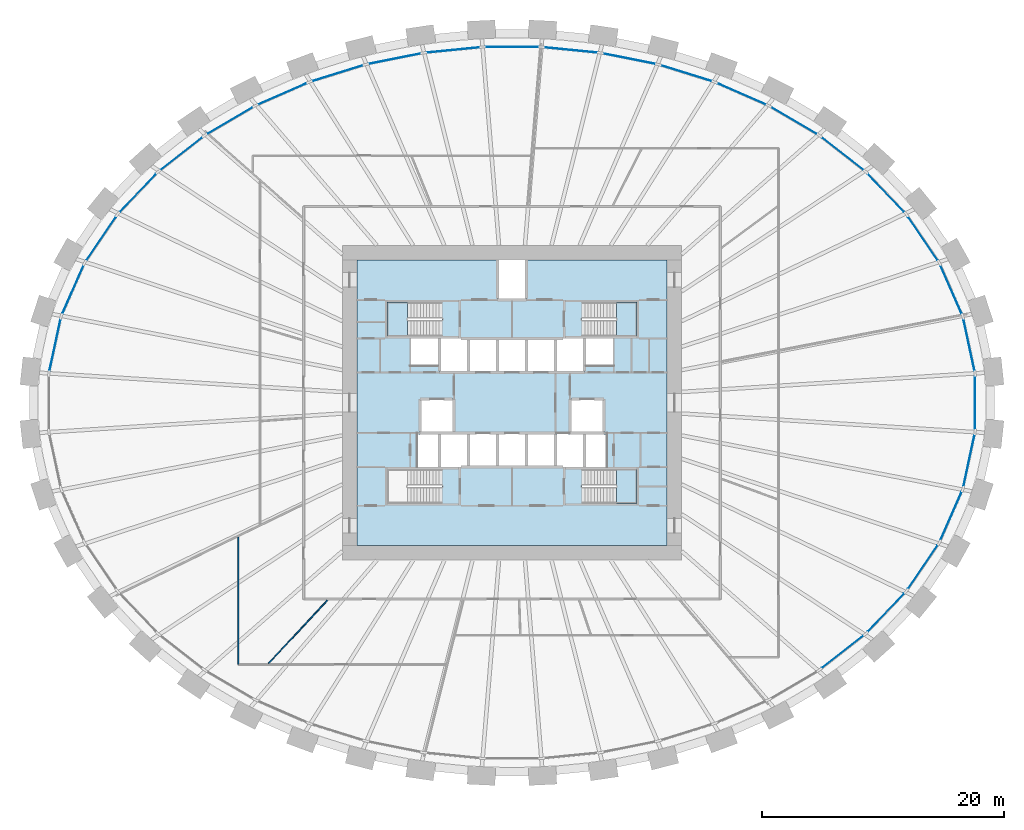
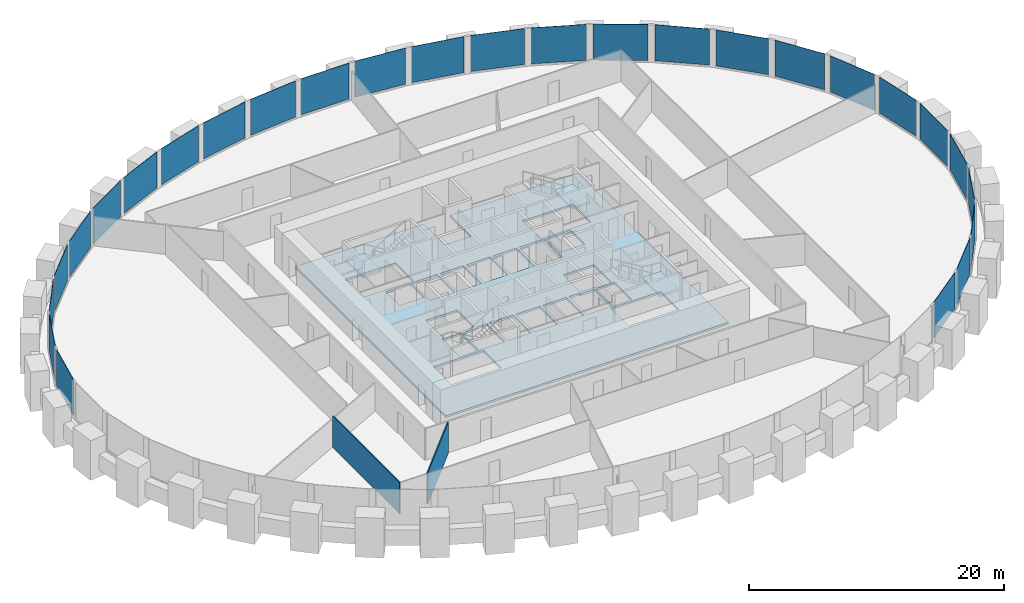
# One storey, part 5 of 10: 27 plates, 4 slabs, 2 walls, 4 elements without a shape of their own.
"""IFC4 building model written with IfcOpenShell, lengths in metres."""

from ifc_helpers import new_model, si_unit, direction, frame, frame_2d, origin, origin_2d, place, context, subcontext, project, spatial, polyline, rectangle, outline, extrude, source, transform, mapped, material, layer, layer_set, type_object, element, aggregate, save


model = new_model("IFC4")

# Units and contexts
model_context = context("Model", 3, precision=1e-05, world=origin(), true_north=direction((0.0, 1.0)))
body_context = subcontext(model_context, "Body", "Model", "MODEL_VIEW")
ifc_project = project(units=[si_unit("LENGTHUNIT", "METRE"), si_unit("AREAUNIT", "SQUARE_METRE"), si_unit("VOLUMEUNIT", "CUBIC_METRE"), si_unit("PLANEANGLEUNIT", "RADIAN"), si_unit("MASSUNIT", "GRAM", prefix="KILO")], contexts=[model_context])

# Site, building, storey
site_placement = place(None, origin())
site = spatial("IfcSite", under=ifc_project, at=site_placement, CompositionType="ELEMENT")
building_placement = place(site_placement, origin())
building = spatial("IfcBuilding", under=site, at=building_placement, Name="Embergate Tower", CompositionType="ELEMENT")
storey_placement = place(building_placement, frame((0.0, 0.0, 121.10009765625)))
storey = spatial("IfcBuildingStorey", under=building, at=storey_placement, Name="L26", CompositionType="ELEMENT", Elevation=121.10009765625)

# Curtain wall, plates
ifc_material_1 = material(Name="Aluminium and glass", Category="aluminium")
curtain_wall_type = type_object("IfcCurtainWallType", Name="Recessed office glazing", PredefinedType="NOTDEFINED", material=ifc_material_1)
curtain_wall_placement = place(storey_placement, origin())
curtain_wall = element("IfcCurtainWall", 1, at=curtain_wall_placement, inside=storey, type_object=curtain_wall_type, Name="Recessed office glazing ring", ObjectType="RECESSED OFFICE GLAZING", PredefinedType="USERDEFINED")
ifc_material_2 = material(Name="Triple glazing, low-emissivity coating", Category="glass")
ifc_layer_1 = layer(ifc_material_2, 0.035888671875)
ifc_layer_set_1 = layer_set([ifc_layer_1], Name="Triple glazing, low-emissivity coating")
plate_type = type_object("IfcPlateType", Name="Office glazing unit", PredefinedType="CURTAIN_PANEL", material=ifc_layer_set_1)
shared_shape_1 = source(origin(), body_context, "Body", "SweptSolid", [
    extrude(rectangle(XDim=4.3056640625, YDim=0.035888671875, at=origin_2d()), origin(), (0.0, 0.0, 1.0), 3.449951171875),
])
plate_1_placement = place(storey_placement, frame((37.72119140625, 4.770263671875, 0.14990234375), z_axis=(0.0, 0.0, 1.0), x_axis=(-0.210398391177, 0.97761573074, 0.0)))
plate_1 = element("IfcPlate", 2, at=plate_1_placement, type_object=plate_type, Name="CW panel 1.1", PredefinedType="CURTAIN_PANEL", context=body_context, shape_type="MappedRepresentation", body=[
    mapped(shared_shape_1, transform((0.0, 0.0, 0.0))),
])
plate_2_placement = place(storey_placement, frame((-37.72119140625, 4.770263671875, 0.14990234375), z_axis=(0.0, 0.0, 1.0), x_axis=(-0.210398391177, -0.97761573074, 0.0)))
plate_2 = element("IfcPlate", 3, at=plate_2_placement, type_object=plate_type, Name="CW panel 21.1", PredefinedType="CURTAIN_PANEL", context=body_context, shape_type="MappedRepresentation", body=[
    mapped(shared_shape_1, transform((0.0, 0.0, 0.0))),
])
plate_3_placement = place(storey_placement, frame((37.72119140625, -4.770263671875, 0.14990234375), z_axis=(0.0, 0.0, 1.0), x_axis=(0.210398391177, 0.97761573074, 0.0)))
plate_3 = element("IfcPlate", 4, at=plate_3_placement, type_object=plate_type, Name="CW panel 43.1", PredefinedType="CURTAIN_PANEL", context=body_context, shape_type="MappedRepresentation", body=[
    mapped(shared_shape_1, transform((0.0, 0.0, 0.0))),
])
shared_shape_2 = source(origin(), body_context, "Body", "SweptSolid", [
    extrude(rectangle(XDim=4.3125, YDim=0.035888671875, at=origin_2d()), origin(), (0.0, 0.0, 1.0), 3.449951171875),
])
plate_4_placement = place(storey_placement, frame((36.242919921875, 9.341796875, 0.14990234375), z_axis=(0.0, 0.0, 1.0), x_axis=(-0.401652101157, 0.91579232888, 0.0)))
plate_4 = element("IfcPlate", 5, at=plate_4_placement, type_object=plate_type, Name="CW panel 2.1", PredefinedType="CURTAIN_PANEL", context=body_context, shape_type="MappedRepresentation", body=[
    mapped(shared_shape_2, transform((0.0, 0.0, 0.0))),
])
plate_5_placement = place(storey_placement, frame((-36.242919921875, 9.341796875, 0.14990234375), z_axis=(0.0, 0.0, 1.0), x_axis=(-0.401652101157, -0.91579232888, 0.0)))
plate_5 = element("IfcPlate", 6, at=plate_5_placement, type_object=plate_type, Name="CW panel 20.1", PredefinedType="CURTAIN_PANEL", context=body_context, shape_type="MappedRepresentation", body=[
    mapped(shared_shape_2, transform((0.0, 0.0, 0.0))),
])
plate_6_placement = place(storey_placement, frame((36.242919921875, -9.341796875, 0.14990234375), z_axis=(0.0, 0.0, 1.0), x_axis=(0.401652101157, 0.91579232888, 0.0)))
plate_6 = element("IfcPlate", 7, at=plate_6_placement, type_object=plate_type, Name="CW panel 42.1", PredefinedType="CURTAIN_PANEL", context=body_context, shape_type="MappedRepresentation", body=[
    mapped(shared_shape_2, transform((0.0, 0.0, 0.0))),
])
shared_shape_3 = source(origin(), body_context, "Body", "SweptSolid", [
    extrude(rectangle(XDim=4.321533203125, YDim=0.035888671875, at=origin_2d()), origin(), (0.0, 0.0, 1.0), 3.449951171875),
])
plate_7_placement = place(storey_placement, frame((33.9111328125, 13.556396484375, 0.14990234375), z_axis=(0.0, 0.0, 1.0), x_axis=(-0.562341741915, 0.826904931234, 0.0)))
plate_7 = element("IfcPlate", 8, at=plate_7_placement, type_object=plate_type, Name="CW panel 3.1", PredefinedType="CURTAIN_PANEL", context=body_context, shape_type="MappedRepresentation", body=[
    mapped(shared_shape_3, transform((0.0, 0.0, 0.0))),
])
plate_8_placement = place(storey_placement, frame((-33.9111328125, 13.556396484375, 0.14990234375), z_axis=(0.0, 0.0, 1.0), x_axis=(-0.562341741915, -0.826904931234, 0.0)))
plate_8 = element("IfcPlate", 9, at=plate_8_placement, type_object=plate_type, Name="CW panel 19.1", PredefinedType="CURTAIN_PANEL", context=body_context, shape_type="MappedRepresentation", body=[
    mapped(shared_shape_3, transform((0.0, 0.0, 0.0))),
])
plate_9_placement = place(storey_placement, frame((33.9111328125, -13.556396484375, 0.14990234375), z_axis=(0.0, 0.0, 1.0), x_axis=(0.562341741915, 0.826904931234, 0.0)))
plate_9 = element("IfcPlate", 10, at=plate_9_placement, type_object=plate_type, Name="CW panel 41.1", PredefinedType="CURTAIN_PANEL", context=body_context, shape_type="MappedRepresentation", body=[
    mapped(shared_shape_3, transform((0.0, 0.0, 0.0))),
])
shared_shape_4 = source(origin(), body_context, "Body", "SweptSolid", [
    extrude(rectangle(XDim=4.330322265625, YDim=0.035888671875, at=origin_2d()), origin(), (0.0, 0.0, 1.0), 3.449951171875),
])
plate_10_placement = place(storey_placement, frame((30.876220703125, 17.313232421875, 0.14990234375), z_axis=(0.0, 0.0, 1.0), x_axis=(-0.690135047526, 0.723680603703, 0.0)))
plate_10 = element("IfcPlate", 11, at=plate_10_placement, type_object=plate_type, Name="CW panel 4.1", PredefinedType="CURTAIN_PANEL", context=body_context, shape_type="MappedRepresentation", body=[
    mapped(shared_shape_4, transform((0.0, 0.0, 0.0))),
])
plate_11_placement = place(storey_placement, frame((-30.876220703125, 17.313232421875, 0.14990234375), z_axis=(0.0, 0.0, 1.0), x_axis=(-0.690135047526, -0.723680603703, 0.0)))
plate_11 = element("IfcPlate", 12, at=plate_11_placement, type_object=plate_type, Name="CW panel 18.1", PredefinedType="CURTAIN_PANEL", context=body_context, shape_type="MappedRepresentation", body=[
    mapped(shared_shape_4, transform((0.0, 0.0, 0.0))),
])
plate_12_placement = place(storey_placement, frame((30.876220703125, -17.313232421875, 0.14990234375), z_axis=(0.0, 0.0, 1.0), x_axis=(0.690135047526, 0.723680603703, 0.0)))
plate_12 = element("IfcPlate", 13, at=plate_12_placement, type_object=plate_type, Name="CW panel 40.1", PredefinedType="CURTAIN_PANEL", context=body_context, shape_type="MappedRepresentation", body=[
    mapped(shared_shape_4, transform((0.0, 0.0, 0.0))),
])
shared_shape_5 = source(origin(), body_context, "Body", "SweptSolid", [
    extrude(rectangle(XDim=4.337890625, YDim=0.035888671875, at=origin_2d()), origin(), (0.0, 0.0, 1.0), 3.449951171875),
])
plate_13_placement = place(storey_placement, frame((27.28759765625, 20.562744140625, 0.14990234375), z_axis=(0.0, 0.0, 1.0), x_axis=(-0.788320119254, 0.615265300158, 0.0)))
plate_13 = element("IfcPlate", 14, at=plate_13_placement, type_object=plate_type, Name="CW panel 5.1", PredefinedType="CURTAIN_PANEL", context=body_context, shape_type="MappedRepresentation", body=[
    mapped(shared_shape_5, transform((0.0, 0.0, 0.0))),
])
plate_14_placement = place(storey_placement, frame((-27.28759765625, 20.562744140625, 0.14990234375), z_axis=(0.0, 0.0, 1.0), x_axis=(-0.788320119254, -0.615265300158, 0.0)))
plate_14 = element("IfcPlate", 15, at=plate_14_placement, type_object=plate_type, Name="CW panel 17.1", PredefinedType="CURTAIN_PANEL", context=body_context, shape_type="MappedRepresentation", body=[
    mapped(shared_shape_5, transform((0.0, 0.0, 0.0))),
])
plate_15_placement = place(storey_placement, frame((27.28759765625, -20.562744140625, 0.14990234375), z_axis=(0.0, 0.0, 1.0), x_axis=(0.788320119254, 0.615265300158, 0.0)))
plate_15 = element("IfcPlate", 16, at=plate_15_placement, type_object=plate_type, Name="CW panel 39.1", PredefinedType="CURTAIN_PANEL", context=body_context, shape_type="MappedRepresentation", body=[
    mapped(shared_shape_5, transform((0.0, 0.0, 0.0))),
])
shared_shape_6 = source(origin(), body_context, "Body", "SweptSolid", [
    extrude(rectangle(XDim=4.34375, YDim=0.035888671875, at=origin_2d()), origin(), (0.0, 0.0, 1.0), 3.449951171875),
])
plate_16_placement = place(storey_placement, frame((23.276611328125, 23.289794921875, 0.14990234375), z_axis=(0.0, 0.0, 1.0), x_axis=(-0.862053167811, 0.50681785275, 0.0)))
plate_16 = element("IfcPlate", 17, at=plate_16_placement, type_object=plate_type, Name="CW panel 6.1", PredefinedType="CURTAIN_PANEL", context=body_context, shape_type="MappedRepresentation", body=[
    mapped(shared_shape_6, transform((0.0, 0.0, 0.0))),
])
plate_17_placement = place(storey_placement, frame((-23.276611328125, 23.289794921875, 0.14990234375), z_axis=(0.0, 0.0, 1.0), x_axis=(-0.862053167811, -0.50681785275, 0.0)))
plate_17 = element("IfcPlate", 18, at=plate_17_placement, type_object=plate_type, Name="CW panel 16.1", PredefinedType="CURTAIN_PANEL", context=body_context, shape_type="MappedRepresentation", body=[
    mapped(shared_shape_6, transform((0.0, 0.0, 0.0))),
])
shared_shape_7 = source(origin(), body_context, "Body", "SweptSolid", [
    extrude(rectangle(XDim=4.348388671875, YDim=0.035888671875, at=origin_2d()), origin(), (0.0, 0.0, 1.0), 3.449951171875),
])
plate_18_placement = place(storey_placement, frame((18.949951171875, 25.497314453125, 0.14990234375), z_axis=(0.0, 0.0, 1.0), x_axis=(-0.916236211741, 0.400638495772, 0.0)))
plate_18 = element("IfcPlate", 19, at=plate_18_placement, type_object=plate_type, Name="CW panel 7.1", PredefinedType="CURTAIN_PANEL", context=body_context, shape_type="MappedRepresentation", body=[
    mapped(shared_shape_7, transform((0.0, 0.0, 0.0))),
])
plate_19_placement = place(storey_placement, frame((-18.949951171875, 25.497314453125, 0.14990234375), z_axis=(0.0, 0.0, 1.0), x_axis=(-0.916236211741, -0.400638495772, 0.0)))
plate_19 = element("IfcPlate", 20, at=plate_19_placement, type_object=plate_type, Name="CW panel 15.1", PredefinedType="CURTAIN_PANEL", context=body_context, shape_type="MappedRepresentation", body=[
    mapped(shared_shape_7, transform((0.0, 0.0, 0.0))),
])
shared_shape_8 = source(origin(), body_context, "Body", "SweptSolid", [
    extrude(rectangle(XDim=4.351806640625, YDim=0.035888671875, at=origin_2d()), origin(), (0.0, 0.0, 1.0), 3.449951171875),
])
plate_20_placement = place(storey_placement, frame((14.393798828125, 27.197021484375, 0.14990234375), z_axis=(0.0, 0.0, 1.0), x_axis=(-0.954772217174, 0.297338213676, 0.0)))
plate_20 = element("IfcPlate", 21, at=plate_20_placement, type_object=plate_type, Name="CW panel 8.1", PredefinedType="CURTAIN_PANEL", context=body_context, shape_type="MappedRepresentation", body=[
    mapped(shared_shape_8, transform((0.0, 0.0, 0.0))),
])
plate_21_placement = place(storey_placement, frame((-14.393798828125, 27.197021484375, 0.14990234375), z_axis=(0.0, 0.0, 1.0), x_axis=(-0.954772217174, -0.297338213676, 0.0)))
plate_21 = element("IfcPlate", 22, at=plate_21_placement, type_object=plate_type, Name="CW panel 14.1", PredefinedType="CURTAIN_PANEL", context=body_context, shape_type="MappedRepresentation", body=[
    mapped(shared_shape_8, transform((0.0, 0.0, 0.0))),
])
shared_shape_9 = source(origin(), body_context, "Body", "SweptSolid", [
    extrude(rectangle(XDim=4.35400390625, YDim=0.035888671875, at=origin_2d()), origin(), (0.0, 0.0, 1.0), 3.449951171875),
])
plate_22_placement = place(storey_placement, frame((9.678955078125, 28.400390625, 0.14990234375), z_axis=(0.0, 0.0, 1.0), x_axis=(-0.980475907409, 0.196639250889, 0.0)))
plate_22 = element("IfcPlate", 23, at=plate_22_placement, type_object=plate_type, Name="CW panel 9.1", PredefinedType="CURTAIN_PANEL", context=body_context, shape_type="MappedRepresentation", body=[
    mapped(shared_shape_9, transform((0.0, 0.0, 0.0))),
])
plate_23_placement = place(storey_placement, frame((-9.678955078125, 28.400390625, 0.14990234375), z_axis=(0.0, 0.0, 1.0), x_axis=(-0.980475907409, -0.196639250889, 0.0)))
plate_23 = element("IfcPlate", 24, at=plate_23_placement, type_object=plate_type, Name="CW panel 13.1", PredefinedType="CURTAIN_PANEL", context=body_context, shape_type="MappedRepresentation", body=[
    mapped(shared_shape_9, transform((0.0, 0.0, 0.0))),
])
shared_shape_10 = source(origin(), body_context, "Body", "SweptSolid", [
    extrude(rectangle(XDim=4.355224609375, YDim=0.035888671875, at=origin_2d()), origin(), (0.0, 0.0, 1.0), 3.449951171875),
])
plate_24_placement = place(storey_placement, frame((4.86376953125, 29.117919921875, 0.14990234375), z_axis=(0.0, 0.0, 1.0), x_axis=(-0.995203184788, 0.097829550688, 0.0)))
plate_24 = element("IfcPlate", 25, at=plate_24_placement, type_object=plate_type, Name="CW panel 10.1", PredefinedType="CURTAIN_PANEL", context=body_context, shape_type="MappedRepresentation", body=[
    mapped(shared_shape_10, transform((0.0, 0.0, 0.0))),
])
plate_25_placement = place(storey_placement, frame((-4.86376953125, 29.117919921875, 0.14990234375), z_axis=(0.0, 0.0, 1.0), x_axis=(-0.995203184788, -0.097829550688, 0.0)))
plate_25 = element("IfcPlate", 26, at=plate_25_placement, type_object=plate_type, Name="CW panel 12.1", PredefinedType="CURTAIN_PANEL", context=body_context, shape_type="MappedRepresentation", body=[
    mapped(shared_shape_10, transform((0.0, 0.0, 0.0))),
])
shared_shape_11 = source(origin(), body_context, "Body", "SweptSolid", [
    extrude(rectangle(XDim=4.355712890625, YDim=0.035888671875, at=origin_2d()), origin(), (0.0, 0.0, 1.0), 3.449951171875),
])
plate_26_placement = place(storey_placement, frame((0.0, 29.3564453125, 0.14990234375), z_axis=(0.0, 0.0, 1.0), x_axis=(-1.0, 0.0, 0.0)))
plate_26 = element("IfcPlate", 27, at=plate_26_placement, type_object=plate_type, Name="CW panel 11.1", PredefinedType="CURTAIN_PANEL", context=body_context, shape_type="MappedRepresentation", body=[
    mapped(shared_shape_11, transform((0.0, 0.0, 0.0))),
])
shared_shape_12 = source(origin(), body_context, "Body", "SweptSolid", [
    extrude(rectangle(XDim=4.302978515625, YDim=0.035888671875, at=origin_2d()), origin(), (0.0, 0.0, 1.0), 3.449951171875),
])
plate_27_placement = place(storey_placement, frame((38.228759765625, 0.0, 0.14990234375), z_axis=(0.0, 0.0, 1.0), x_axis=(0.0, 1.0, 0.0)))
plate_27 = element("IfcPlate", 28, at=plate_27_placement, type_object=plate_type, Name="CW panel 44.1", PredefinedType="CURTAIN_PANEL", context=body_context, shape_type="MappedRepresentation", body=[
    mapped(shared_shape_12, transform((0.0, 0.0, 0.0))),
])
aggregate(curtain_wall, [plate_1, plate_4, plate_7, plate_10, plate_13, plate_16, plate_18, plate_20, plate_22, plate_24, plate_26, plate_25, plate_23, plate_21, plate_19, plate_17, plate_14, plate_11, plate_8, plate_5, plate_2, plate_15, plate_12, plate_9, plate_6, plate_3, plate_27])

# Stair, slab
ifc_material_3 = material(Name="Exit stair")
stair_type = type_object("IfcStairType", Name="Exit stair", PredefinedType="HALF_TURN_STAIR", material=ifc_material_3)
stair_1_placement = place(storey_placement, origin())
stair_1 = element("IfcStair", 29, at=stair_1_placement, inside=storey, type_object=stair_type, Name="L26 Exit stair 1", PredefinedType="HALF_TURN_STAIR")
ifc_material_4 = material(Name="Concrete C40", Category="concrete")
ifc_layer_2 = layer(ifc_material_4, 0.199951171875)
ifc_layer_set_2 = layer_set([ifc_layer_2], Name="Concrete C40")
slab_type_1 = type_object("IfcSlabType", Name="Stair landing reinforced concrete", PredefinedType="LANDING", material=ifc_layer_set_2)
shared_shape_13 = source(origin(), body_context, "Body", "SweptSolid", [
    extrude(outline(polyline([(0.0, 0.0), (1.68994140625, 0.0), (1.68994140625, 2.800048828125), (0.0, 2.800048828125), (0.0, 0.0)])), origin(), (0.0, 0.0, 1.0), 0.199951171875),
])
slab_1_placement = place(storey_placement, frame((-10.300048828125, 5.5, 1.75)))
slab_1 = element("IfcSlab", 30, at=slab_1_placement, type_object=slab_type_1, Name="ST1 landing 1", PredefinedType="LANDING", context=body_context, shape_type="MappedRepresentation", body=[
    mapped(shared_shape_13, transform((0.0, 0.0, 0.0))),
])
aggregate(stair_1, [slab_1])

stair_2_placement = place(storey_placement, origin())
stair_2 = element("IfcStair", 31, at=stair_2_placement, inside=storey, type_object=stair_type, Name="L26 Exit stair 2", PredefinedType="HALF_TURN_STAIR")
slab_2_placement = place(storey_placement, frame((8.610107421875, 5.5, 1.75)))
slab_2 = element("IfcSlab", 32, at=slab_2_placement, type_object=slab_type_1, Name="ST2 landing 1", PredefinedType="LANDING", context=body_context, shape_type="MappedRepresentation", body=[
    mapped(shared_shape_13, transform((0.0, 0.0, 0.0))),
])
aggregate(stair_2, [slab_2])

stair_3_placement = place(storey_placement, origin())
stair_3 = element("IfcStair", 33, at=stair_3_placement, inside=storey, type_object=stair_type, Name="L26 Exit stair 4", PredefinedType="HALF_TURN_STAIR")
slab_3_placement = place(storey_placement, frame((8.610107421875, -8.300048828125, 1.75)))
slab_3 = element("IfcSlab", 34, at=slab_3_placement, type_object=slab_type_1, Name="ST4 landing 1", PredefinedType="LANDING", context=body_context, shape_type="MappedRepresentation", body=[
    mapped(shared_shape_13, transform((0.0, 0.0, 0.0))),
])
aggregate(stair_3, [slab_3])

# Slab
ifc_layer_3 = layer(ifc_material_4, 0.199951171875)
ifc_layer_set_3 = layer_set([ifc_layer_3], Name="Concrete C40")
slab_type_2 = type_object("IfcSlabType", Name="Core floor slab 200 reinforced concrete", PredefinedType="FLOOR", material=ifc_layer_set_3)
shared_shape_14 = source(origin(), body_context, "Body", "SweptSolid", [
    extrude(outline(polyline([(0.0, 0.0), (25.60009765625, 0.0), (25.60009765625, 23.60009765625), (14.0, 23.60009765625), (14.0, 20.300048828125), (11.60009765625, 20.300048828125), (11.60009765625, 23.60009765625), (0.0, 23.60009765625), (0.0, 0.0)]), holes=[polyline([(2.5, 3.5), (2.5, 6.300048828125), (7.0400390625, 6.300048828125), (7.0400390625, 3.5), (2.5, 3.5)]), polyline([(18.56005859375, 3.5), (18.56005859375, 6.300048828125), (23.10009765625, 6.300048828125), (23.10009765625, 3.5), (18.56005859375, 3.5)]), polyline([(5.0, 6.5), (5.0, 9.300048828125), (5.074951171875, 9.300048828125), (5.074951171875, 9.175048828125), (6.675048828125, 9.175048828125), (6.675048828125, 6.5), (5.0, 6.5)]), polyline([(6.800048828125, 6.5), (6.800048828125, 9.175048828125), (8.125, 9.175048828125), (8.125, 9.300048828125), (9.074951171875, 9.300048828125), (9.074951171875, 6.5), (6.800048828125, 6.5)]), polyline([(9.324951171875, 6.5), (9.324951171875, 9.300048828125), (11.47509765625, 9.300048828125), (11.47509765625, 6.5), (9.324951171875, 6.5)]), polyline([(11.72509765625, 6.5), (11.72509765625, 9.300048828125), (13.875, 9.300048828125), (13.875, 6.5), (11.72509765625, 6.5)]), polyline([(14.125, 6.5), (14.125, 9.300048828125), (16.275146484375, 9.300048828125), (16.275146484375, 6.5), (14.125, 6.5)]), polyline([(16.525146484375, 6.5), (16.525146484375, 9.300048828125), (17.47509765625, 9.300048828125), (17.47509765625, 9.175048828125), (18.800048828125, 9.175048828125), (18.800048828125, 6.5), (16.525146484375, 6.5)]), polyline([(18.925048828125, 6.5), (18.925048828125, 9.175048828125), (20.525146484375, 9.175048828125), (20.525146484375, 9.300048828125), (20.60009765625, 9.300048828125), (20.60009765625, 6.5), (18.925048828125, 6.5)]), polyline([(5.199951171875, 9.300048828125), (5.199951171875, 12.10009765625), (8.0, 12.10009765625), (8.0, 9.425048828125), (6.675048828125, 9.425048828125), (6.675048828125, 9.300048828125), (5.199951171875, 9.300048828125)]), polyline([(18.925048828125, 9.300048828125), (18.925048828125, 9.425048828125), (17.60009765625, 9.425048828125), (17.60009765625, 12.10009765625), (20.400146484375, 12.10009765625), (20.400146484375, 9.300048828125), (18.925048828125, 9.300048828125)]), polyline([(6.800048828125, 14.300048828125), (6.800048828125, 17.10009765625), (9.074951171875, 17.10009765625), (9.074951171875, 14.300048828125), (6.800048828125, 14.300048828125)]), polyline([(9.324951171875, 14.300048828125), (9.324951171875, 17.10009765625), (11.47509765625, 17.10009765625), (11.47509765625, 14.300048828125), (9.324951171875, 14.300048828125)]), polyline([(11.72509765625, 14.300048828125), (11.72509765625, 17.10009765625), (13.875, 17.10009765625), (13.875, 14.300048828125), (11.72509765625, 14.300048828125)]), polyline([(14.125, 14.300048828125), (14.125, 17.10009765625), (16.275146484375, 17.10009765625), (16.275146484375, 14.300048828125), (14.125, 14.300048828125)]), polyline([(16.525146484375, 14.300048828125), (16.525146484375, 17.10009765625), (18.800048828125, 17.10009765625), (18.800048828125, 14.300048828125), (16.525146484375, 14.300048828125)]), polyline([(4.400146484375, 14.900146484375), (4.400146484375, 17.10009765625), (6.675048828125, 17.10009765625), (6.675048828125, 14.900146484375), (4.400146484375, 14.900146484375)]), polyline([(18.925048828125, 14.900146484375), (18.925048828125, 17.10009765625), (21.199951171875, 17.10009765625), (21.199951171875, 14.900146484375), (18.925048828125, 14.900146484375)]), polyline([(2.5, 17.300048828125), (2.5, 20.10009765625), (7.0400390625, 20.10009765625), (7.0400390625, 17.300048828125), (2.5, 17.300048828125)]), polyline([(18.56005859375, 17.300048828125), (18.56005859375, 20.10009765625), (23.10009765625, 20.10009765625), (23.10009765625, 17.300048828125), (18.56005859375, 17.300048828125)])]), origin(), (0.0, 0.0, 1.0), 0.2001953125),
])
slab_4_placement = place(storey_placement, frame((-12.800048828125, -11.800048828125, -0.2001953125)))
element("IfcSlab", 35, at=slab_4_placement, inside=storey, type_object=slab_type_2, Name="Core floor slab", PredefinedType="FLOOR", context=body_context, shape_type="MappedRepresentation", body=[
    mapped(shared_shape_14, transform((0.0, 0.0, 0.0))),
])

# Walls
ifc_material_5 = material(Name="Partition dry-lined 100")
ifc_layer_4 = layer(ifc_material_5, 0.10009765625)
ifc_layer_set_4 = layer_set([ifc_layer_4], Name="Partition dry-lined 100")
wall_type = type_object("IfcWallType", Name="Partition dry-lined 100", PredefinedType="PARTITIONING", material=ifc_layer_set_4)
shared_shape_15 = source(origin(), body_context, "Body", "SweptSolid", [
    extrude(rectangle(XDim=7.12548828125, YDim=0.10009765625, at=frame_2d((3.562744140625, 0.0))), origin(), (0.0, 0.0, 1.0), 3.0),
])
wall_1_placement = place(storey_placement, frame((-15.238037109375, -16.30908203125, 0.0), z_axis=(0.0, 0.0, 1.0), x_axis=(-0.682627047172, -0.730766935807, 0.0)))
element("IfcWall", 36, at=wall_1_placement, inside=storey, type_object=wall_type, Name="IP-1 wall", PredefinedType="PARTITIONING", context=body_context, shape_type="MappedRepresentation", body=[
    mapped(shared_shape_15, transform((0.0, 0.0, 0.0))),
])
shared_shape_16 = source(origin(), body_context, "Body", "SweptSolid", [
    extrude(rectangle(XDim=10.51806640625, YDim=0.10009765625, at=frame_2d((5.259033203125, 0.0))), origin(), (0.0, 0.0, 1.0), 3.0),
])
wall_2_placement = place(storey_placement, frame((-22.60009765625, -11.08203125, 0.0), z_axis=(0.0, 0.0, 1.0), x_axis=(0.0, -1.0, 0.0)))
element("IfcWall", 37, at=wall_2_placement, inside=storey, type_object=wall_type, Name="IP-1 wall", PredefinedType="PARTITIONING", context=body_context, shape_type="MappedRepresentation", body=[
    mapped(shared_shape_16, transform((0.0, 0.0, 0.0))),
])

save(model, "model.ifc")
